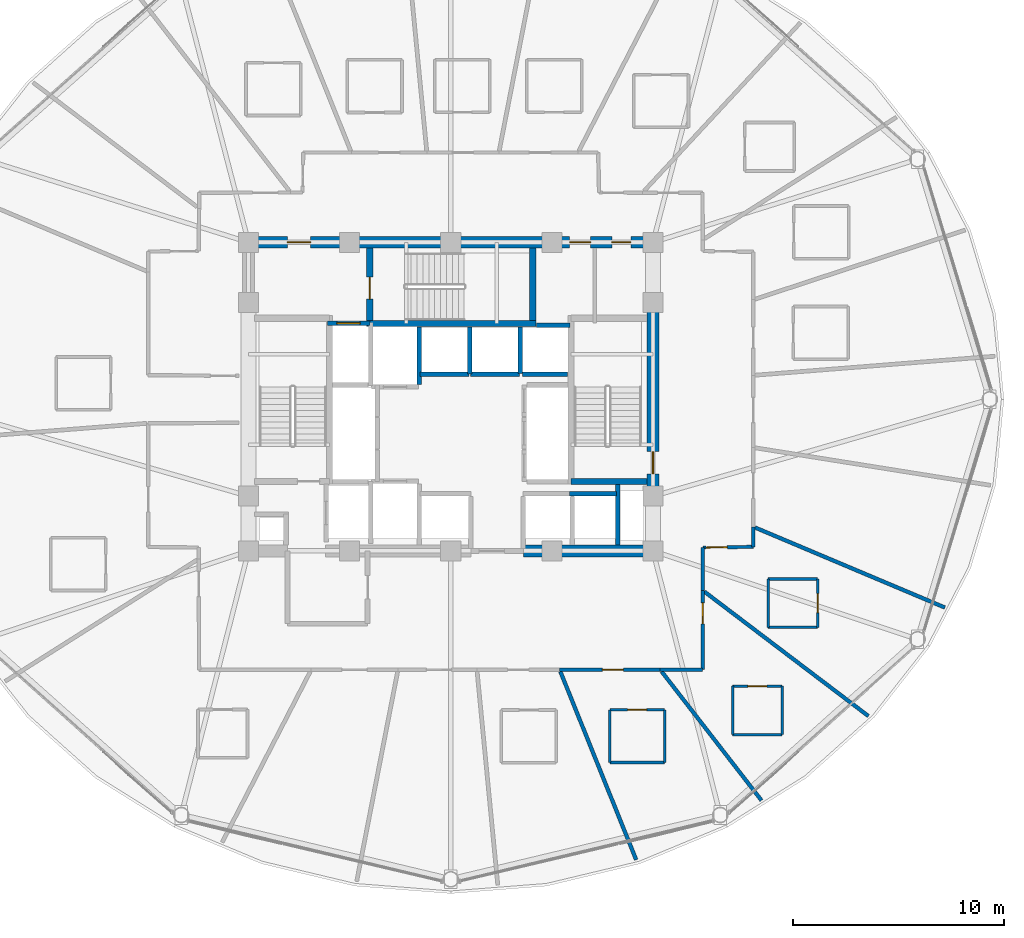
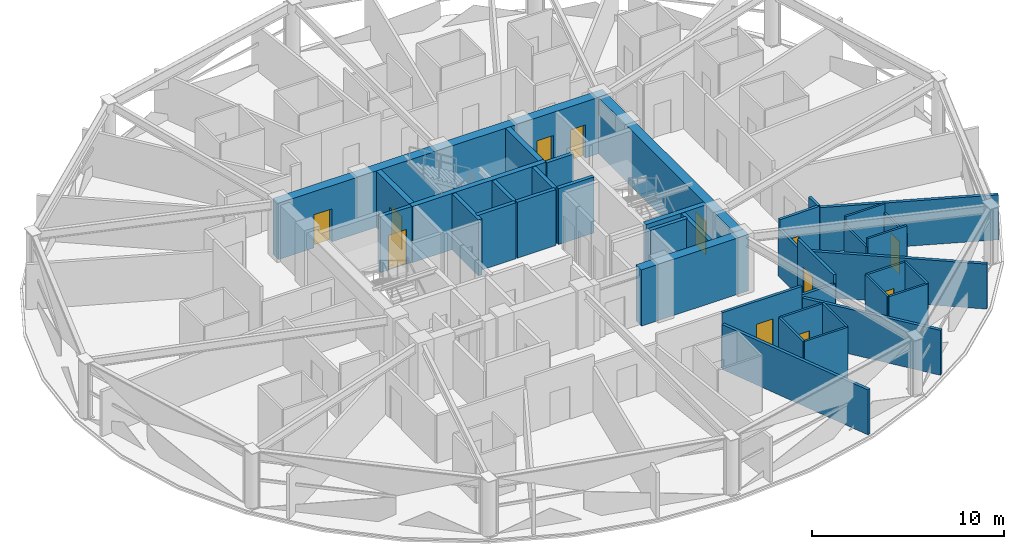
# One storey, part 26 of 32: 39 walls, 12 doors, 12 openings.
"""IFC4 building model written with IfcOpenShell, lengths in metres."""

from ifc_helpers import new_model, si_unit, direction, frame, frame_2d, origin, place, context, subcontext, project, spatial, rectangle, extrude, material, layer, layer_set, type_object, element, fill, save


model = new_model("IFC4")

# Units and contexts
model_context = context("Model", 3, precision=1e-05, world=origin(), true_north=direction((0.0, 1.0)))
body_context = subcontext(model_context, "Body", "Model", "MODEL_VIEW")
ifc_project = project(units=[si_unit("LENGTHUNIT", "METRE"), si_unit("AREAUNIT", "SQUARE_METRE"), si_unit("VOLUMEUNIT", "CUBIC_METRE"), si_unit("PLANEANGLEUNIT", "RADIAN"), si_unit("MASSUNIT", "GRAM", prefix="KILO")], contexts=[model_context])

# Site, building, storey
site_placement = place(None, origin())
site = spatial("IfcSite", under=ifc_project, at=site_placement, CompositionType="ELEMENT")
building_placement = place(site_placement, origin())
building = spatial("IfcBuilding", under=site, at=building_placement, Name="Vantalir Tower", CompositionType="ELEMENT")
storey_placement = place(building_placement, frame((0.0, 0.0, 100.949951171875)))
storey = spatial("IfcBuildingStorey", under=building, at=storey_placement, Name="L24", CompositionType="ELEMENT", Elevation=100.949951171875)

# Wall
ifc_material_1 = material(Name="Moisture-resistant en-suite partition", Category="gypsum")
ifc_layer_1 = layer(ifc_material_1, 0.125)
ifc_layer_set_1 = layer_set([ifc_layer_1], Name="Moisture-resistant en-suite partition")
wall_type_1 = type_object("IfcWallType", Name="WL-BATH-125", PredefinedType="PARTITIONING", material=ifc_layer_set_1)
wall_1_placement = place(storey_placement, frame((39.052001953125, 7.756103515625, 0.0), z_axis=(0.0, 0.0, 1.0), x_axis=(1.0, 0.0, 0.0)))
element("IfcWall", 1, at=wall_1_placement, inside=storey, type_object=wall_type_1, Name="L24 En-suite 17 South Wall", PredefinedType="PARTITIONING", context=body_context, shape_type="SweptSolid", body=[
    extrude(rectangle(XDim=2.60009765625, YDim=0.125, at=frame_2d((1.300048828125, 0.0))), origin(), (0.0, 0.0, 1.0), 3.550048828125),
])

# Wall, opening, door
wall_2_placement = place(storey_placement, frame((39.052001953125, 10.256103515625, 0.0), z_axis=(0.0, 0.0, 1.0), x_axis=(1.0, 0.0, 0.0)))
wall_2 = element("IfcWall", 2, at=wall_2_placement, inside=storey, type_object=wall_type_1, Name="L24 En-suite 17 North Wall", PredefinedType="PARTITIONING", context=body_context, shape_type="SweptSolid", body=[
    extrude(rectangle(XDim=2.60009765625, YDim=0.125, at=frame_2d((1.300048828125, 0.0))), origin(), (0.0, 0.0, 1.0), 3.550048828125),
])
opening_1_placement = place(wall_2_placement, frame((0.85009765625, 0.0, 0.0)))
opening_1 = element("IfcOpeningElement", 3, at=opening_1_placement, cuts=wall_2, Name="Opening D-WC", PredefinedType="OPENING", context=body_context, shape_type="SweptSolid", body=[
    extrude(rectangle(XDim=0.89990234375, YDim=2.10009765625, at=frame_2d((0.449951171875, 1.050048828125))), frame((0.0, 0.072509765625, 0.0), z_axis=(0.0, -1.0, 0.0), x_axis=(1.0, 0.0, 0.0)), (0.0, 0.0, 1.0), 0.14501953125),
])
ifc_material_2 = material(Name="Moisture-resistant hardwood door", Category="wood")
door_type_1 = type_object("IfcDoorType", Name="DR-ENSUITE-900", OperationType="NOTDEFINED", PredefinedType="DOOR", material=ifc_material_2)
door_1_placement = place(opening_1_placement, frame((0.89990234375, 0.0, 0.0), z_axis=(0.0, 0.0, 1.0), x_axis=(-1.0, 0.0, 0.0)))
door_1 = element("IfcDoor", 4, at=door_1_placement, inside=storey, type_object=door_type_1, Name="L24 En-suite 17 Door", OperationType="SINGLE_SWING_RIGHT", OverallHeight=2.10009765625, OverallWidth=0.89990234375, PredefinedType="DOOR", context=body_context, shape_type="SweptSolid", body=[
    extrude(rectangle(XDim=0.89990234375, YDim=2.10009765625, at=frame_2d((0.449951171875, 1.050048828125))), frame((0.0, 0.02490234375, 0.0), z_axis=(0.0, -1.0, 0.0), x_axis=(1.0, 0.0, 0.0)), (0.0, 0.0, 1.0), 0.050048828125),
])
fill(opening_1, door_1)

# Walls
for number, where, z_axis, x_axis, name in (
    (5, (39.052001953125, 7.756103515625, 0.0), (0.0, 0.0, 1.0), (0.0, 1.0, 0.0), "L24 En-suite 17 West Wall"),
    (6, (41.652099609375, 7.756103515625, 0.0), (0.0, 0.0, 1.0), (0.0, 1.0, 0.0), "L24 En-suite 17 East Wall"),
):
    element("IfcWall", number, at=place(storey_placement, frame(where, z_axis=z_axis, x_axis=x_axis)), inside=storey, type_object=wall_type_1, Name=name, PredefinedType="PARTITIONING", context=body_context, shape_type="SweptSolid", body=[
        extrude(rectangle(XDim=2.5, YDim=0.125, at=frame_2d((1.25, 0.0))), origin(), (0.0, 0.0, 1.0), 3.550048828125),
    ])
wall_3_placement = place(storey_placement, frame((44.8798828125, 9.080078125, 0.0), z_axis=(0.0, 0.0, 1.0), x_axis=(1.0, 0.0, 0.0)))
element("IfcWall", 7, at=wall_3_placement, inside=storey, type_object=wall_type_1, Name="L24 En-suite 18 South Wall", PredefinedType="PARTITIONING", context=body_context, shape_type="SweptSolid", body=[
    extrude(rectangle(XDim=2.35009765625, YDim=0.125, at=frame_2d((1.175048828125, 0.0))), origin(), (0.0, 0.0, 1.0), 3.550048828125),
])

# Wall, opening, door
wall_4_placement = place(storey_placement, frame((44.8798828125, 11.3798828125, 0.0), z_axis=(0.0, 0.0, 1.0), x_axis=(1.0, 0.0, 0.0)))
wall_4 = element("IfcWall", 8, at=wall_4_placement, inside=storey, type_object=wall_type_1, Name="L24 En-suite 18 North Wall", PredefinedType="PARTITIONING", context=body_context, shape_type="SweptSolid", body=[
    extrude(rectangle(XDim=2.35009765625, YDim=0.125, at=frame_2d((1.175048828125, 0.0))), origin(), (0.0, 0.0, 1.0), 3.550048828125),
])
opening_2_placement = place(wall_4_placement, frame((0.72509765625, 0.0, 0.0)))
opening_2 = element("IfcOpeningElement", 9, at=opening_2_placement, cuts=wall_4, Name="Opening D-WC", PredefinedType="OPENING", context=body_context, shape_type="SweptSolid", body=[
    extrude(rectangle(XDim=0.89990234375, YDim=2.10009765625, at=frame_2d((0.449951171875, 1.050048828125))), frame((0.0, 0.072509765625, 0.0), z_axis=(0.0, -1.0, 0.0), x_axis=(1.0, 0.0, 0.0)), (0.0, 0.0, 1.0), 0.14501953125),
])
door_2_placement = place(opening_2_placement, frame((0.89990234375, 0.0, 0.0), z_axis=(0.0, 0.0, 1.0), x_axis=(-1.0, 0.0, 0.0)))
door_2 = element("IfcDoor", 10, at=door_2_placement, inside=storey, type_object=door_type_1, Name="L24 En-suite 18 Door", OperationType="SINGLE_SWING_LEFT", OverallHeight=2.10009765625, OverallWidth=0.89990234375, PredefinedType="DOOR", context=body_context, shape_type="SweptSolid", body=[
    extrude(rectangle(XDim=0.89990234375, YDim=2.10009765625, at=frame_2d((0.449951171875, 1.050048828125))), frame((0.0, 0.02490234375, 0.0), z_axis=(0.0, -1.0, 0.0), x_axis=(1.0, 0.0, 0.0)), (0.0, 0.0, 1.0), 0.050048828125),
])
fill(opening_2, door_2)

# Walls
for number, where, z_axis, x_axis, name in (
    (11, (44.8798828125, 9.080078125, 0.0), (0.0, 0.0, 1.0), (0.0, 1.0, 0.0), "L24 En-suite 18 West Wall"),
    (12, (47.22998046875, 9.080078125, 0.0), (0.0, 0.0, 1.0), (0.0, 1.0, 0.0), "L24 En-suite 18 East Wall"),
):
    element("IfcWall", number, at=place(storey_placement, frame(where, z_axis=z_axis, x_axis=x_axis)), inside=storey, type_object=wall_type_1, Name=name, PredefinedType="PARTITIONING", context=body_context, shape_type="SweptSolid", body=[
        extrude(rectangle(XDim=2.2998046875, YDim=0.125, at=frame_2d((1.14990234375, 0.0))), origin(), (0.0, 0.0, 1.0), 3.550048828125),
    ])
for number, where, z_axis, x_axis, name in (
    (13, (46.56396484375, 14.172119140625, 0.0), (0.0, 0.0, 1.0), (1.0, 0.0, 0.0), "L24 En-suite 19 South Wall"),
    (14, (46.56396484375, 16.471923828125, 0.0), (0.0, 0.0, 1.0), (1.0, 0.0, 0.0), "L24 En-suite 19 North Wall"),
):
    element("IfcWall", number, at=place(storey_placement, frame(where, z_axis=z_axis, x_axis=x_axis)), inside=storey, type_object=wall_type_1, Name=name, PredefinedType="PARTITIONING", context=body_context, shape_type="SweptSolid", body=[
        extrude(rectangle(XDim=2.35009765625, YDim=0.125, at=frame_2d((1.175048828125, 0.0))), origin(), (0.0, 0.0, 1.0), 3.550048828125),
    ])
wall_5_placement = place(storey_placement, frame((46.56396484375, 14.172119140625, 0.0), z_axis=(0.0, 0.0, 1.0), x_axis=(0.0, 1.0, 0.0)))
element("IfcWall", 15, at=wall_5_placement, inside=storey, type_object=wall_type_1, Name="L24 En-suite 19 West Wall", PredefinedType="PARTITIONING", context=body_context, shape_type="SweptSolid", body=[
    extrude(rectangle(XDim=2.2998046875, YDim=0.125, at=frame_2d((1.14990234375, 0.0))), origin(), (0.0, 0.0, 1.0), 3.006103515625),
])

# Wall, opening, door
wall_6_placement = place(storey_placement, frame((48.9140625, 14.172119140625, 0.0), z_axis=(0.0, 0.0, 1.0), x_axis=(0.0, 1.0, 0.0)))
wall_6 = element("IfcWall", 16, at=wall_6_placement, inside=storey, type_object=wall_type_1, Name="L24 En-suite 19 East Wall", PredefinedType="PARTITIONING", context=body_context, shape_type="SweptSolid", body=[
    extrude(rectangle(XDim=2.2998046875, YDim=0.125, at=frame_2d((1.14990234375, 0.0))), origin(), (0.0, 0.0, 1.0), 3.006103515625),
])
opening_3_placement = place(wall_6_placement, frame((0.699951171875, 0.0, 0.0)))
opening_3 = element("IfcOpeningElement", 17, at=opening_3_placement, cuts=wall_6, Name="Opening D-WC", PredefinedType="OPENING", context=body_context, shape_type="SweptSolid", body=[
    extrude(rectangle(XDim=0.89990234375, YDim=2.10009765625, at=frame_2d((0.449951171875, 1.050048828125))), frame((0.0, 0.072509765625, 0.0), z_axis=(0.0, -1.0, 0.0), x_axis=(1.0, 0.0, 0.0)), (0.0, 0.0, 1.0), 0.14501953125),
])
door_3_placement = place(opening_3_placement, origin())
door_3 = element("IfcDoor", 18, at=door_3_placement, inside=storey, type_object=door_type_1, Name="L24 En-suite 19 Door", OperationType="SINGLE_SWING_RIGHT", OverallHeight=2.10009765625, OverallWidth=0.89990234375, PredefinedType="DOOR", context=body_context, shape_type="SweptSolid", body=[
    extrude(rectangle(XDim=0.89990234375, YDim=2.10009765625, at=frame_2d((0.449951171875, 1.050048828125))), frame((0.0, 0.02490234375, 0.0), z_axis=(0.0, -1.0, 0.0), x_axis=(1.0, 0.0, 0.0)), (0.0, 0.0, 1.0), 0.050048828125),
])
fill(opening_3, door_3)

# Wall
ifc_material_3 = material(Name="Concrete C60/75", Category="concrete")
ifc_layer_2 = layer(ifc_material_3, 0.550048828125)
ifc_layer_set_2 = layer_set([ifc_layer_2], Name="Concrete C60/75")
wall_type_2 = type_object("IfcWallType", Name="WL-CORE-550", PredefinedType="SHEAR", material=ifc_layer_set_2)
wall_7_placement = place(storey_placement, frame((34.949951171875, 17.800048828125, 0.0), z_axis=(0.0, 0.0, 1.0), x_axis=(1.0, 0.0, 0.0)))
element("IfcWall", 19, at=wall_7_placement, inside=storey, type_object=wall_type_2, Name="L24 Core Shear Wall South-East", PredefinedType="SHEAR", context=body_context, shape_type="SweptSolid", body=[
    extrude(rectangle(XDim=6.425048828125, YDim=0.550048828125, at=frame_2d((3.21240234375, 0.0))), origin(), (0.0, 0.0, 1.0), 3.570068359375),
])

# Wall, openings, doors
wall_8_placement = place(storey_placement, frame((21.625, 32.449951171875, 0.0), z_axis=(0.0, 0.0, 1.0), x_axis=(1.0, 0.0, 0.0)))
wall_8 = element("IfcWall", 20, at=wall_8_placement, inside=storey, type_object=wall_type_2, Name="L24 Core Shear Wall North", PredefinedType="SHEAR", context=body_context, shape_type="SweptSolid", body=[
    extrude(rectangle(XDim=19.75, YDim=0.550048828125, at=frame_2d((9.875, 0.0))), origin(), (0.0, 0.0, 1.0), 3.570068359375),
])
opening_4_placement = place(wall_8_placement, frame((2.125, 0.0, 0.0)))
opening_4 = element("IfcOpeningElement", 21, at=opening_4_placement, cuts=wall_8, Name="Opening D-FFL", PredefinedType="OPENING", context=body_context, shape_type="SweptSolid", body=[
    extrude(rectangle(XDim=1.10009765625, YDim=2.10009765625, at=frame_2d((0.550048828125, 1.050048828125))), frame((0.0, 0.284912109375, 0.0), z_axis=(0.0, -1.0, 0.0), x_axis=(1.0, 0.0, 0.0)), (0.0, 0.0, 1.0), 0.570068359375),
])
opening_5_placement = place(wall_8_placement, frame((15.514892578125, 0.0, 0.0)))
opening_5 = element("IfcOpeningElement", 22, at=opening_5_placement, cuts=wall_8, Name="Opening D-GUEST", PredefinedType="OPENING", context=body_context, shape_type="SweptSolid", body=[
    extrude(rectangle(XDim=1.0, YDim=2.10009765625, at=frame_2d((0.5, 1.050048828125))), frame((0.0, 0.284912109375, 0.0), z_axis=(0.0, -1.0, 0.0), x_axis=(1.0, 0.0, 0.0)), (0.0, 0.0, 1.0), 0.570068359375),
])
opening_6_placement = place(wall_8_placement, frame((17.52490234375, 0.0, 0.0)))
opening_6 = element("IfcOpeningElement", 23, at=opening_6_placement, cuts=wall_8, Name="Opening D-CR", PredefinedType="OPENING", context=body_context, shape_type="SweptSolid", body=[
    extrude(rectangle(XDim=0.89990234375, YDim=2.10009765625, at=frame_2d((0.449951171875, 1.050048828125))), frame((0.0, 0.284912109375, 0.0), z_axis=(0.0, -1.0, 0.0), x_axis=(1.0, 0.0, 0.0)), (0.0, 0.0, 1.0), 0.570068359375),
])
ifc_material_4 = material(Name="Fire-rated steel core service door", Category="steel")
door_type_2 = type_object("IfcDoorType", Name="DR-CORE-SERV-900", OperationType="NOTDEFINED", PredefinedType="DOOR", material=ifc_material_4)
door_4_placement = place(opening_6_placement, frame((0.89990234375, 0.0, 0.0), z_axis=(0.0, 0.0, 1.0), x_axis=(-1.0, 0.0, 0.0)))
door_4 = element("IfcDoor", 24, at=door_4_placement, inside=storey, type_object=door_type_2, Name="L24 Housekeeping and Linen Room Door", OperationType="SINGLE_SWING_RIGHT", OverallHeight=2.10009765625, OverallWidth=0.89990234375, PredefinedType="DOOR", context=body_context, shape_type="SweptSolid", body=[
    extrude(rectangle(XDim=0.89990234375, YDim=2.10009765625, at=frame_2d((0.449951171875, 1.050048828125))), frame((0.0, 0.02490234375, 0.0), z_axis=(0.0, -1.0, 0.0), x_axis=(1.0, 0.0, 0.0)), (0.0, 0.0, 1.0), 0.050048828125),
])
fill(opening_6, door_4)
ifc_material_5 = material(Name="Fire-rated acoustic steel door", Category="steel")
door_type_3 = type_object("IfcDoorType", Name="DR-FIRE-LOBBY-1100", OperationType="NOTDEFINED", PredefinedType="DOOR", material=ifc_material_5)
door_5_placement = place(opening_4_placement, frame((1.10009765625, 0.0, 0.0), z_axis=(0.0, 0.0, 1.0), x_axis=(-1.0, 0.0, 0.0)))
door_5 = element("IfcDoor", 25, at=door_5_placement, inside=storey, type_object=door_type_3, Name="L24 Firefighting Lobby East Access Door", OperationType="SINGLE_SWING_RIGHT", OverallHeight=2.10009765625, OverallWidth=1.10009765625, PredefinedType="DOOR", context=body_context, shape_type="SweptSolid", body=[
    extrude(rectangle(XDim=1.10009765625, YDim=2.10009765625, at=frame_2d((0.550048828125, 1.050048828125))), frame((0.0, 0.02490234375, 0.0), z_axis=(0.0, -1.0, 0.0), x_axis=(1.0, 0.0, 0.0)), (0.0, 0.0, 1.0), 0.050048828125),
])
fill(opening_4, door_5)
ifc_material_6 = material(Name="Solid-core teak veneer acoustic fire door", Category="wood")
door_type_4 = type_object("IfcDoorType", Name="DR-GUEST-ENTRY-1000", OperationType="NOTDEFINED", PredefinedType="DOOR", material=ifc_material_6)
door_6_placement = place(opening_5_placement, frame((1.0, 0.0, 0.0), z_axis=(0.0, 0.0, 1.0), x_axis=(-1.0, 0.0, 0.0)))
door_6 = element("IfcDoor", 26, at=door_6_placement, inside=storey, type_object=door_type_4, Name="L24 High-Rise Lift Lobby Door", OperationType="SINGLE_SWING_LEFT", OverallHeight=2.10009765625, OverallWidth=1.0, PredefinedType="DOOR", context=body_context, shape_type="SweptSolid", body=[
    extrude(rectangle(XDim=1.0, YDim=2.10009765625, at=frame_2d((0.5, 1.050048828125))), frame((0.0, 0.02490234375, 0.0), z_axis=(0.0, -1.0, 0.0), x_axis=(1.0, 0.0, 0.0)), (0.0, 0.0, 1.0), 0.050048828125),
])
fill(opening_5, door_6)

# Wall, opening, door
wall_9_placement = place(storey_placement, frame((41.10009765625, 18.074951171875, 0.0), z_axis=(0.0, 0.0, 1.0), x_axis=(0.0, 1.0, 0.0)))
wall_9 = element("IfcWall", 27, at=wall_9_placement, inside=storey, type_object=wall_type_2, Name="L24 Core Shear Wall East", PredefinedType="SHEAR", context=body_context, shape_type="SweptSolid", body=[
    extrude(rectangle(XDim=14.10009765625, YDim=0.550048828125, at=frame_2d((7.050048828125, 0.0))), origin(), (0.0, 0.0, 1.0), 3.570068359375),
])
opening_7_placement = place(wall_9_placement, frame((3.385009765625, 0.0, 0.0)))
opening_7 = element("IfcOpeningElement", 28, at=opening_7_placement, cuts=wall_9, Name="Opening D-ST", PredefinedType="OPENING", context=body_context, shape_type="SweptSolid", body=[
    extrude(rectangle(XDim=1.050048828125, YDim=2.10009765625, at=frame_2d((0.52490234375, 1.050048828125))), frame((0.0, 0.284912109375, 0.0), z_axis=(0.0, -1.0, 0.0), x_axis=(1.0, 0.0, 0.0)), (0.0, 0.0, 1.0), 0.570068359375),
])
ifc_material_7 = material(Name="Fire-rated steel door leaf", Category="steel")
door_type_5 = type_object("IfcDoorType", Name="DR-FIRE-STAIR-1050", OperationType="NOTDEFINED", PredefinedType="DOOR", material=ifc_material_7)
door_7_placement = place(opening_7_placement, origin())
door_7 = element("IfcDoor", 29, at=door_7_placement, inside=storey, type_object=door_type_5, Name="L24 Exit Stair ST2 Fire Door", OperationType="SINGLE_SWING_LEFT", OverallHeight=2.10009765625, OverallWidth=1.050048828125, PredefinedType="DOOR", context=body_context, shape_type="SweptSolid", body=[
    extrude(rectangle(XDim=1.050048828125, YDim=2.10009765625, at=frame_2d((0.52490234375, 1.050048828125))), frame((0.0, 0.02490234375, 0.0), z_axis=(0.0, -1.0, 0.0), x_axis=(1.0, 0.0, 0.0)), (0.0, 0.0, 1.0), 0.050048828125),
])
fill(opening_7, door_7)

# Wall
ifc_material_8 = material(Name="Fire-rated hotel corridor acoustic partition", Category="gypsum")
ifc_layer_3 = layer(ifc_material_8, 0.159912109375)
ifc_layer_set_3 = layer_set([ifc_layer_3], Name="Fire-rated hotel corridor acoustic partition")
wall_type_3 = type_object("IfcWallType", Name="WL-CORR-160", PredefinedType="PARTITIONING", material=ifc_layer_set_3)
wall_10_placement = place(storey_placement, frame((45.864990234375, 18.945068359375, 0.0), z_axis=(0.0, 0.0, 1.0), x_axis=(0.0, -1.0, 0.0)))
element("IfcWall", 30, at=wall_10_placement, inside=storey, type_object=wall_type_3, Name="L24 Corridor Partition 25", PredefinedType="PARTITIONING", context=body_context, shape_type="SweptSolid", body=[
    extrude(rectangle(XDim=0.948974609375, YDim=0.159912109375, at=frame_2d((0.474609375, 0.0))), origin(), (0.0, 0.0, 1.0), 3.550048828125),
])

# Wall, opening, door
wall_11_placement = place(storey_placement, frame((45.864990234375, 17.99609375, 0.0), z_axis=(0.0, 0.0, 1.0), x_axis=(-0.999886678433, -0.015054245006, 0.0)))
wall_11 = element("IfcWall", 31, at=wall_11_placement, inside=storey, type_object=wall_type_3, Name="L24 Corridor Partition 26", PredefinedType="PARTITIONING", context=body_context, shape_type="SweptSolid", body=[
    extrude(rectangle(XDim=2.400146484375, YDim=0.159912109375, at=frame_2d((1.2001953125, 0.0))), origin(), (0.0, 0.0, 1.0), 3.550048828125),
])
opening_8_placement = place(wall_11_placement, frame((1.239990234375, 0.0, 0.0)))
opening_8 = element("IfcOpeningElement", 32, at=opening_8_placement, cuts=wall_11, Name="Opening D-GUEST", PredefinedType="OPENING", context=body_context, shape_type="SweptSolid", body=[
    extrude(rectangle(XDim=1.0, YDim=2.10009765625, at=frame_2d((0.5, 1.050048828125))), frame((0.0, 0.08984375, 0.0), z_axis=(0.0, -1.0, 0.0), x_axis=(1.0, 0.0, 0.0)), (0.0, 0.0, 1.0), 0.179931640625),
])
door_8_placement = place(opening_8_placement, origin())
door_8 = element("IfcDoor", 33, at=door_8_placement, inside=storey, type_object=door_type_4, Name="L24 Deluxe King Hotel Room 19 Door", OperationType="SINGLE_SWING_RIGHT", OverallHeight=2.10009765625, OverallWidth=1.0, PredefinedType="DOOR", context=body_context, shape_type="SweptSolid", body=[
    extrude(rectangle(XDim=1.0, YDim=2.10009765625, at=frame_2d((0.5, 1.050048828125))), frame((0.0, 0.02490234375, 0.0), z_axis=(0.0, -1.0, 0.0), x_axis=(1.0, 0.0, 0.0)), (0.0, 0.0, 1.0), 0.050048828125),
])
fill(opening_8, door_8)

# Wall
wall_12_placement = place(storey_placement, frame((43.465087890625, 17.9599609375, 0.0), z_axis=(0.0, 0.0, 1.0), x_axis=(-0.001080820793, -0.999999415913, 0.0)))
element("IfcWall", 34, at=wall_12_placement, inside=storey, type_object=wall_type_3, Name="L24 Corridor Partition 27", PredefinedType="PARTITIONING", context=body_context, shape_type="SweptSolid", body=[
    extrude(rectangle(XDim=2.032958984375, YDim=0.159912109375, at=frame_2d((1.0166015625, 0.0))), origin(), (0.0, 0.0, 1.0), 3.006103515625),
])

# Wall, opening, door
wall_13_placement = place(storey_placement, frame((43.462890625, 15.927001953125, 0.0), z_axis=(0.0, 0.0, 1.0), x_axis=(-0.001298953246, -0.99999915636, 0.0)))
wall_13 = element("IfcWall", 35, at=wall_13_placement, inside=storey, type_object=wall_type_3, Name="L24 Corridor Partition 28", PredefinedType="PARTITIONING", context=body_context, shape_type="SweptSolid", body=[
    extrude(rectangle(XDim=3.759033203125, YDim=0.159912109375, at=frame_2d((1.87939453125, 0.0))), origin(), (0.0, 0.0, 1.0), 3.550048828125),
])
opening_9_placement = place(wall_13_placement, frame((0.590087890625, 0.0, 0.0)))
opening_9 = element("IfcOpeningElement", 36, at=opening_9_placement, cuts=wall_13, Name="Opening D-GUEST", PredefinedType="OPENING", context=body_context, shape_type="SweptSolid", body=[
    extrude(rectangle(XDim=1.0, YDim=2.10009765625, at=frame_2d((0.5, 1.050048828125))), frame((0.0, 0.08984375, 0.0), z_axis=(0.0, -1.0, 0.0), x_axis=(1.0, 0.0, 0.0)), (0.0, 0.0, 1.0), 0.179931640625),
])
door_9_placement = place(opening_9_placement, origin())
door_9 = element("IfcDoor", 37, at=door_9_placement, inside=storey, type_object=door_type_4, Name="L24 Twin Queen Hotel Room 18 Door", OperationType="SINGLE_SWING_LEFT", OverallHeight=2.10009765625, OverallWidth=1.0, PredefinedType="DOOR", context=body_context, shape_type="SweptSolid", body=[
    extrude(rectangle(XDim=1.0, YDim=2.10009765625, at=frame_2d((0.5, 1.050048828125))), frame((0.0, 0.02490234375, 0.0), z_axis=(0.0, -1.0, 0.0), x_axis=(1.0, 0.0, 0.0)), (0.0, 0.0, 1.0), 0.050048828125),
])
fill(opening_9, door_9)

# Wall
wall_14_placement = place(storey_placement, frame((43.4580078125, 12.16796875, 0.0), z_axis=(0.0, 0.0, 1.0), x_axis=(-0.999999882802, -0.000484144218, 0.0)))
element("IfcWall", 38, at=wall_14_placement, inside=storey, type_object=wall_type_3, Name="L24 Corridor Partition 29", PredefinedType="PARTITIONING", context=body_context, shape_type="SweptSolid", body=[
    extrude(rectangle(XDim=2.01708984375, YDim=0.159912109375, at=frame_2d((1.008544921875, 0.0))), origin(), (0.0, 0.0, 1.0), 3.006103515625),
])

# Wall, opening, door
wall_15_placement = place(storey_placement, frame((41.44091796875, 12.1669921875, 0.0), z_axis=(0.0, 0.0, 1.0), x_axis=(-0.999999916275, -0.000409207127, 0.0)))
wall_15 = element("IfcWall", 39, at=wall_15_placement, inside=storey, type_object=wall_type_3, Name="L24 Corridor Partition 30", PredefinedType="PARTITIONING", context=body_context, shape_type="SweptSolid", body=[
    extrude(rectangle(XDim=4.77294921875, YDim=0.159912109375, at=frame_2d((2.386474609375, 0.0))), origin(), (0.0, 0.0, 1.0), 3.550048828125),
])
opening_10_placement = place(wall_15_placement, frame((1.742919921875, 0.0, 0.0)))
opening_10 = element("IfcOpeningElement", 40, at=opening_10_placement, cuts=wall_15, Name="Opening D-GUEST", PredefinedType="OPENING", context=body_context, shape_type="SweptSolid", body=[
    extrude(rectangle(XDim=1.0, YDim=2.10009765625, at=frame_2d((0.5, 1.050048828125))), frame((0.0, 0.08984375, 0.0), z_axis=(0.0, -1.0, 0.0), x_axis=(1.0, 0.0, 0.0)), (0.0, 0.0, 1.0), 0.179931640625),
])
door_10_placement = place(opening_10_placement, origin())
door_10 = element("IfcDoor", 41, at=door_10_placement, inside=storey, type_object=door_type_4, Name="L24 Twin Queen Hotel Room 17 Door", OperationType="SINGLE_SWING_RIGHT", OverallHeight=2.10009765625, OverallWidth=1.0, PredefinedType="DOOR", context=body_context, shape_type="SweptSolid", body=[
    extrude(rectangle(XDim=1.0, YDim=2.10009765625, at=frame_2d((0.5, 1.050048828125))), frame((0.0, 0.02490234375, 0.0), z_axis=(0.0, -1.0, 0.0), x_axis=(1.0, 0.0, 0.0)), (0.0, 0.0, 1.0), 0.050048828125),
])
fill(opening_10, door_10)

# Walls
ifc_material_9 = material(Name="Concrete blockwork with fireboard lining", Category="masonry")
ifc_layer_4 = layer(ifc_material_9, 0.219970703125)
ifc_layer_set_4 = layer_set([ifc_layer_4], Name="Concrete blockwork with fireboard lining")
wall_type_4 = type_object("IfcWallType", Name="WL-FFL-220", PredefinedType="PARTITIONING", material=ifc_layer_set_4)
wall_16_placement = place(storey_placement, frame((30.0, 25.7099609375, 0.0), z_axis=(0.0, 0.0, 1.0), x_axis=(0.0, 1.0, 0.0)))
element("IfcWall", 42, at=wall_16_placement, inside=storey, type_object=wall_type_4, Name="L24 Service Lift SV2 East Shaft Wall", PredefinedType="PARTITIONING", context=body_context, shape_type="SweptSolid", body=[
    extrude(rectangle(XDim=2.72998046875, YDim=0.219970703125, at=frame_2d((1.364990234375, 0.0))), origin(), (0.0, 0.0, 1.0), 3.545166015625),
])
wall_17_placement = place(storey_placement, frame((32.39990234375, 26.199951171875, 0.0), z_axis=(0.0, 0.0, 1.0), x_axis=(0.0, 1.0, 0.0)))
element("IfcWall", 43, at=wall_17_placement, inside=storey, type_object=wall_type_4, Name="L24 High-Rise Lift PL-H1/H2 Shaft Divider", PredefinedType="PARTITIONING", context=body_context, shape_type="SweptSolid", body=[
    extrude(rectangle(XDim=2.239990234375, YDim=0.219970703125, at=frame_2d((1.1201171875, 0.0))), origin(), (0.0, 0.0, 1.0), 3.545166015625),
])
wall_18_placement = place(storey_placement, frame((34.800048828125, 26.22998046875, 0.0), z_axis=(0.0, 0.0, 1.0), x_axis=(0.0, 1.0, 0.0)))
element("IfcWall", 44, at=wall_18_placement, inside=storey, type_object=wall_type_4, Name="L24 High-Rise Lift PL-H2/H3 Shaft Divider", PredefinedType="PARTITIONING", context=body_context, shape_type="SweptSolid", body=[
    extrude(rectangle(XDim=2.2099609375, YDim=0.219970703125, at=frame_2d((1.10498046875, 0.0))), origin(), (0.0, 0.0, 1.0), 3.545166015625),
])
wall_19_placement = place(storey_placement, frame((34.909912109375, 26.18994140625, 0.0), z_axis=(0.0, 0.0, 1.0), x_axis=(1.0, 0.0, 0.0)))
element("IfcWall", 45, at=wall_19_placement, inside=storey, type_object=wall_type_4, Name="L24 High-Rise Lift PL-H3 Rear Shaft Wall", PredefinedType="PARTITIONING", context=body_context, shape_type="SweptSolid", body=[
    extrude(rectangle(XDim=2.14013671875, YDim=0.219970703125, at=frame_2d((1.070068359375, 0.0))), origin(), (0.0, 0.0, 1.0), 3.545166015625),
])
wall_20_placement = place(storey_placement, frame((39.419921875, 18.074951171875, 0.0), z_axis=(0.0, 0.0, 1.0), x_axis=(0.0, 1.0, 0.0)))
element("IfcWall", 46, at=wall_20_placement, inside=storey, type_object=wall_type_4, Name="L24 East MEP Riser Wall W", PredefinedType="PARTITIONING", context=body_context, shape_type="SweptSolid", body=[
    extrude(rectangle(XDim=2.875, YDim=0.219970703125, at=frame_2d((1.4375, 0.0))), origin(), (0.0, 0.0, 1.0), 3.550048828125),
])

# Wall, opening, door
wall_21_placement = place(storey_placement, frame((25.639892578125, 28.610107421875, 0.0), z_axis=(0.0, 0.0, 1.0), x_axis=(1.0, 0.0, 0.0)))
wall_21 = element("IfcWall", 47, at=wall_21_placement, inside=storey, type_object=wall_type_4, Name="L24 Lift FL2 Shaft Front Wall", PredefinedType="PARTITIONING", context=body_context, shape_type="SweptSolid", body=[
    extrude(rectangle(XDim=2.02001953125, YDim=0.219970703125, at=frame_2d((1.010009765625, 0.0))), origin(), (0.0, 0.0, 1.0), 3.550048828125),
])
opening_11_placement = place(wall_21_placement, frame((0.4599609375, 0.0, 0.0)))
opening_11 = element("IfcOpeningElement", 48, at=opening_11_placement, cuts=wall_21, Name="Opening LD-FL2", PredefinedType="OPENING", context=body_context, shape_type="SweptSolid", body=[
    extrude(rectangle(XDim=1.10009765625, YDim=2.199951171875, at=frame_2d((0.550048828125, 1.10009765625))), frame((0.0, 0.119873046875, 0.0), z_axis=(0.0, -1.0, 0.0), x_axis=(1.0, 0.0, 0.0)), (0.0, 0.0, 1.0), 0.239990234375),
])
ifc_material_10 = material(Name="Brushed stainless-steel sliding lift landing door", Category="steel")
door_type_6 = type_object("IfcDoorType", Name="DR-LIFT-LANDING-1100", OperationType="DOUBLE_DOOR_SLIDING", PredefinedType="DOOR", material=ifc_material_10)
door_11_placement = place(opening_11_placement, origin())
door_11 = element("IfcDoor", 49, at=door_11_placement, inside=storey, type_object=door_type_6, Name="L24 Lift Landing Door FL2", OperationType="DOUBLE_DOOR_SLIDING", OverallHeight=2.199951171875, OverallWidth=1.10009765625, PredefinedType="DOOR", context=body_context, shape_type="SweptSolid", body=[
    extrude(rectangle(XDim=1.10009765625, YDim=2.199951171875, at=frame_2d((0.550048828125, 1.10009765625))), frame((0.0, 0.02490234375, 0.0), z_axis=(0.0, -1.0, 0.0), x_axis=(1.0, 0.0, 0.0)), (0.0, 0.0, 1.0), 0.050048828125),
])
fill(opening_11, door_11)

# Walls
wall_22_placement = place(storey_placement, frame((37.139892578125, 20.510009765625, 0.0), z_axis=(0.0, 0.0, 1.0), x_axis=(1.0, 0.0, 0.0)))
element("IfcWall", 50, at=wall_22_placement, inside=storey, type_object=wall_type_4, Name="L24 Lift PL-X2 Shaft Rear Wall", PredefinedType="PARTITIONING", context=body_context, shape_type="SweptSolid", body=[
    extrude(rectangle(XDim=2.239990234375, YDim=0.219970703125, at=frame_2d((1.1201171875, 0.0))), origin(), (0.0, 0.0, 1.0), 3.550048828125),
])
for number, where, z_axis, x_axis, name in (
    (51, (30.0400390625, 26.18994140625, 0.0), (0.0, 0.0, 1.0), (1.0, 0.0, 0.0), "L24 Lift PL-H1 Shaft Front Wall"),
    (52, (32.43994140625, 26.18994140625, 0.0), (0.0, 0.0, 1.0), (1.0, 0.0, 0.0), "L24 Lift PL-H2 Shaft Front Wall"),
):
    element("IfcWall", number, at=place(storey_placement, frame(where, z_axis=z_axis, x_axis=x_axis)), inside=storey, type_object=wall_type_4, Name=name, PredefinedType="PARTITIONING", context=body_context, shape_type="SweptSolid", body=[
        extrude(rectangle(XDim=2.320068359375, YDim=0.219970703125, at=frame_2d((1.16015625, 0.0))), origin(), (0.0, 0.0, 1.0), 3.550048828125),
    ])
wall_23_placement = place(storey_placement, frame((35.56005859375, 28.510009765625, 0.0), z_axis=(0.0, 0.0, 1.0), x_axis=(1.0, 0.0, 0.0)))
element("IfcWall", 53, at=wall_23_placement, inside=storey, type_object=wall_type_4, Name="L24 Lift PL-H3 Shaft Front Wall", PredefinedType="PARTITIONING", context=body_context, shape_type="SweptSolid", body=[
    extrude(rectangle(XDim=1.599853515625, YDim=0.219970703125, at=frame_2d((0.7998046875, 0.0))), origin(), (0.0, 0.0, 1.0), 3.550048828125),
])
ifc_material_11 = material(Name="Twin-stud acoustic fire-rated gypsum partition", Category="gypsum")
ifc_layer_5 = layer(ifc_material_11, 0.179931640625)
ifc_layer_set_5 = layer_set([ifc_layer_5], Name="Twin-stud acoustic fire-rated gypsum partition")
wall_type_5 = type_object("IfcWallType", Name="WL-GUEST-180", PredefinedType="PARTITIONING", material=ifc_layer_set_5)
wall_24_placement = place(storey_placement, frame((36.7041015625, 12.074951171875, 0.0), z_axis=(0.0, 0.0, 1.0), x_axis=(0.373578740761, -0.927598471566, 0.0)))
element("IfcWall", 54, at=wall_24_placement, inside=storey, type_object=wall_type_5, Name="L24 Radial Suite Partition 17", PredefinedType="PARTITIONING", context=body_context, shape_type="SweptSolid", body=[
    extrude(rectangle(XDim=9.633544921875, YDim=0.179931640625, at=frame_2d((4.81689453125, 0.0))), origin(), (0.0, 0.0, 1.0), 2.85107421875),
])
wall_25_placement = place(storey_placement, frame((41.511962890625, 12.074951171875, 0.0), z_axis=(0.0, 0.0, 1.0), x_axis=(0.612441066245, -0.79051624928, 0.0)))
element("IfcWall", 55, at=wall_25_placement, inside=storey, type_object=wall_type_5, Name="L24 Radial Suite Partition 18", PredefinedType="PARTITIONING", context=body_context, shape_type="SweptSolid", body=[
    extrude(rectangle(XDim=7.73779296875, YDim=0.179931640625, at=frame_2d((3.868896484375, 0.0))), origin(), (0.0, 0.0, 1.0), 2.85107421875),
])
wall_26_placement = place(storey_placement, frame((43.5400390625, 15.867919921875, 0.0), z_axis=(0.0, 0.0, 1.0), x_axis=(0.796739781995, -0.604322529604, 0.0)))
element("IfcWall", 56, at=wall_26_placement, inside=storey, type_object=wall_type_5, Name="L24 Radial Suite Partition 19", PredefinedType="PARTITIONING", context=body_context, shape_type="SweptSolid", body=[
    extrude(rectangle(XDim=9.776123046875, YDim=0.179931640625, at=frame_2d((4.88818359375, 0.0))), origin(), (0.0, 0.0, 1.0), 2.85107421875),
])
wall_27_placement = place(storey_placement, frame((45.93994140625, 18.9140625, 0.0), z_axis=(0.0, 0.0, 1.0), x_axis=(0.921481698678, -0.388421779773, 0.0)))
element("IfcWall", 57, at=wall_27_placement, inside=storey, type_object=wall_type_5, Name="L24 Radial Suite Partition 20", PredefinedType="PARTITIONING", context=body_context, shape_type="SweptSolid", body=[
    extrude(rectangle(XDim=9.783203125, YDim=0.179931640625, at=frame_2d((4.8916015625, 0.0))), origin(), (0.0, 0.0, 1.0), 2.85107421875),
])
ifc_material_12 = material(Name="Concrete C50/60", Category="concrete")
ifc_layer_6 = layer(ifc_material_12, 0.300048828125)
ifc_layer_set_6 = layer_set([ifc_layer_6], Name="Concrete C50/60")
wall_type_6 = type_object("IfcWallType", Name="WL-STAIR-300", PredefinedType="SHEAR", material=ifc_layer_set_6)
wall_28_placement = place(storey_placement, frame((37.2099609375, 21.10009765625, 0.0), z_axis=(0.0, 0.0, 1.0), x_axis=(1.0, 0.0, 0.0)))
element("IfcWall", 58, at=wall_28_placement, inside=storey, type_object=wall_type_6, Name="L24 Stair ST2 South Wall", PredefinedType="SHEAR", context=body_context, shape_type="SweptSolid", body=[
    extrude(rectangle(XDim=3.614990234375, YDim=0.300048828125, at=frame_2d((1.8076171875, 0.0))), origin(), (0.0, 0.0, 1.0), 3.570068359375),
])
wall_29_placement = place(storey_placement, frame((27.510009765625, 28.60009765625, 0.0), z_axis=(0.0, 0.0, 1.0), x_axis=(1.0, 0.0, 0.0)))
element("IfcWall", 59, at=wall_29_placement, inside=storey, type_object=wall_type_6, Name="L24 Stair ST3 South Wall", PredefinedType="SHEAR", context=body_context, shape_type="SweptSolid", body=[
    extrude(rectangle(XDim=8.030029296875, YDim=0.300048828125, at=frame_2d((4.01513671875, 0.0))), origin(), (0.0, 0.0, 1.0), 3.570068359375),
])

# Wall, opening, door
wall_30_placement = place(storey_placement, frame((27.64990234375, 28.75, 0.0), z_axis=(0.0, 0.0, 1.0), x_axis=(0.0, 1.0, 0.0)))
wall_30 = element("IfcWall", 60, at=wall_30_placement, inside=storey, type_object=wall_type_6, Name="L24 Stair ST3 West Wall", PredefinedType="SHEAR", context=body_context, shape_type="SweptSolid", body=[
    extrude(rectangle(XDim=3.425048828125, YDim=0.300048828125, at=frame_2d((1.71240234375, 0.0))), origin(), (0.0, 0.0, 1.0), 3.570068359375),
])
opening_12_placement = place(wall_30_placement, frame((1.0, 0.0, 0.0)))
opening_12 = element("IfcOpeningElement", 61, at=opening_12_placement, cuts=wall_30, Name="Opening D-ST", PredefinedType="OPENING", context=body_context, shape_type="SweptSolid", body=[
    extrude(rectangle(XDim=1.050048828125, YDim=2.10009765625, at=frame_2d((0.52490234375, 1.050048828125))), frame((0.0, 0.159912109375, 0.0), z_axis=(0.0, -1.0, 0.0), x_axis=(1.0, 0.0, 0.0)), (0.0, 0.0, 1.0), 0.320068359375),
])
door_12_placement = place(opening_12_placement, frame((1.050048828125, 0.0, 0.0), z_axis=(0.0, 0.0, 1.0), x_axis=(-1.0, 0.0, 0.0)))
door_12 = element("IfcDoor", 62, at=door_12_placement, inside=storey, type_object=door_type_5, Name="L24 Exit Stair ST3 Fire Door", OperationType="SINGLE_SWING_LEFT", OverallHeight=2.10009765625, OverallWidth=1.050048828125, PredefinedType="DOOR", context=body_context, shape_type="SweptSolid", body=[
    extrude(rectangle(XDim=1.050048828125, YDim=2.10009765625, at=frame_2d((0.52490234375, 1.050048828125))), frame((0.0, 0.02490234375, 0.0), z_axis=(0.0, -1.0, 0.0), x_axis=(1.0, 0.0, 0.0)), (0.0, 0.0, 1.0), 0.050048828125),
])
fill(opening_12, door_12)

# Wall
wall_31_placement = place(storey_placement, frame((35.39990234375, 28.75, 0.0), z_axis=(0.0, 0.0, 1.0), x_axis=(0.0, 1.0, 0.0)))
element("IfcWall", 63, at=wall_31_placement, inside=storey, type_object=wall_type_6, Name="L24 Stair ST3 East Wall", PredefinedType="SHEAR", context=body_context, shape_type="SweptSolid", body=[
    extrude(rectangle(XDim=3.425048828125, YDim=0.300048828125, at=frame_2d((1.71240234375, 0.0))), origin(), (0.0, 0.0, 1.0), 3.570068359375),
])

save(model, "model.ifc")
